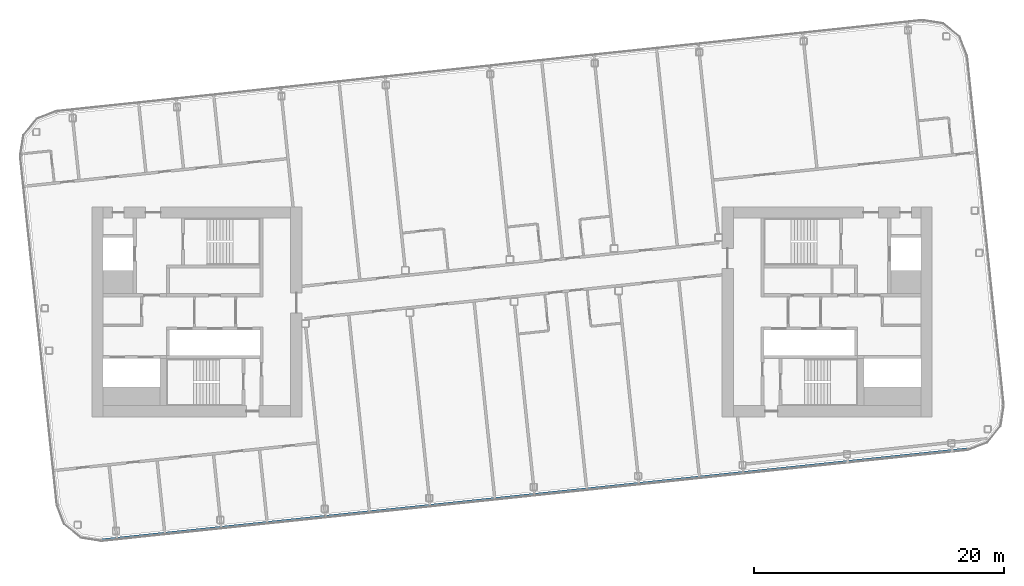
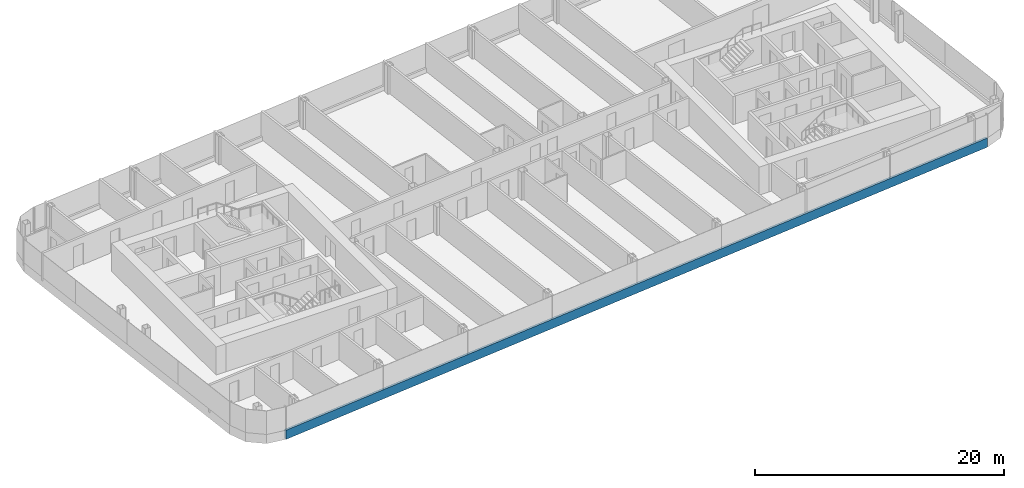
# One storey, part 6 of 27: 1 member, 1 element without a shape of its own.
"""IFC4 building model written with IfcOpenShell, lengths in metres."""

from ifc_helpers import new_model, si_unit, direction, frame, origin, origin_2d, place, context, subcontext, project, spatial, rectangle, extrude, material, layer, layer_set, material_profile, profile_set, type_object, element, aggregate, save


model = new_model("IFC4")

# Units and contexts
model_context = context("Model", 3, precision=1e-05, world=origin(), true_north=direction((0.0, 1.0)))
body_context = subcontext(model_context, "Body", "Model", "MODEL_VIEW")
ifc_project = project(units=[si_unit("LENGTHUNIT", "METRE"), si_unit("AREAUNIT", "SQUARE_METRE"), si_unit("VOLUMEUNIT", "CUBIC_METRE"), si_unit("PLANEANGLEUNIT", "RADIAN"), si_unit("MASSUNIT", "GRAM", prefix="KILO")], contexts=[model_context])

# Site, building, storey
site_placement = place(None, origin())
site = spatial("IfcSite", under=ifc_project, at=site_placement, CompositionType="ELEMENT")
building_placement = place(site_placement, origin())
building = spatial("IfcBuilding", under=site, at=building_placement, Name="Hakoniwa Tower and Hamabe Station Hall", CompositionType="ELEMENT")
storey_placement = place(building_placement, frame((0.0, 0.0, 261.39990234375)))
storey = spatial("IfcBuildingStorey", under=building, at=storey_placement, Name="L74", CompositionType="ELEMENT", Elevation=261.39990234375)

# Curtain wall, member
ifc_material_1 = material(Name="Dark low-e laminated glass", Category="glass")
ifc_layer = layer(ifc_material_1, 0.199951171875)
ifc_layer_set = layer_set([ifc_layer], Name="CW-1 UNITISED GUEST")
curtain_wall_type = type_object("IfcCurtainWallType", Name="CW-1 UNITISED GUEST", PredefinedType="NOTDEFINED", material=ifc_layer_set)
curtain_wall_placement = place(storey_placement, origin())
curtain_wall = element("IfcCurtainWall", 1, at=curtain_wall_placement, inside=storey, type_object=curtain_wall_type, Name="CW-1 curtain wall", PredefinedType="NOTDEFINED")
ifc_material_2 = material(Name="Aluminium 6063-T5 black anodised", Category="aluminium")
ifc_material_profile = material_profile(ifc_material_2, rectangle(XDim=0.199951171875, YDim=0.89990234375, at=origin_2d()), Name="CW SLAB-EDGE BAND 900X200")
ifc_profile_set = profile_set([ifc_material_profile], Name="Aluminium 6063-T5 black anodised")
member_type = type_object("IfcMemberType", Name="CW SLAB-EDGE BAND 900X200", PredefinedType="USERDEFINED", material=ifc_profile_set)
member_placement = place(storey_placement, frame((-32.850830078125, -18.24755859375, -0.099853515625), z_axis=(0.994521894037, 0.10452847593, 0.0), x_axis=(-0.10452847593, 0.994521894037, 0.0)))
member = element("IfcMember", 2, at=member_placement, type_object=member_type, Name="CW-1 transom", ObjectType="TRANSOM", PredefinedType="USERDEFINED", context=body_context, shape_type="SweptSolid", body=[
    extrude(rectangle(XDim=0.199951171875, YDim=0.89990234375, at=origin_2d()), origin(), (0.0, 0.0, 1.0), 69.678955078125),
])
aggregate(curtain_wall, [member])

save(model, "model.ifc")
